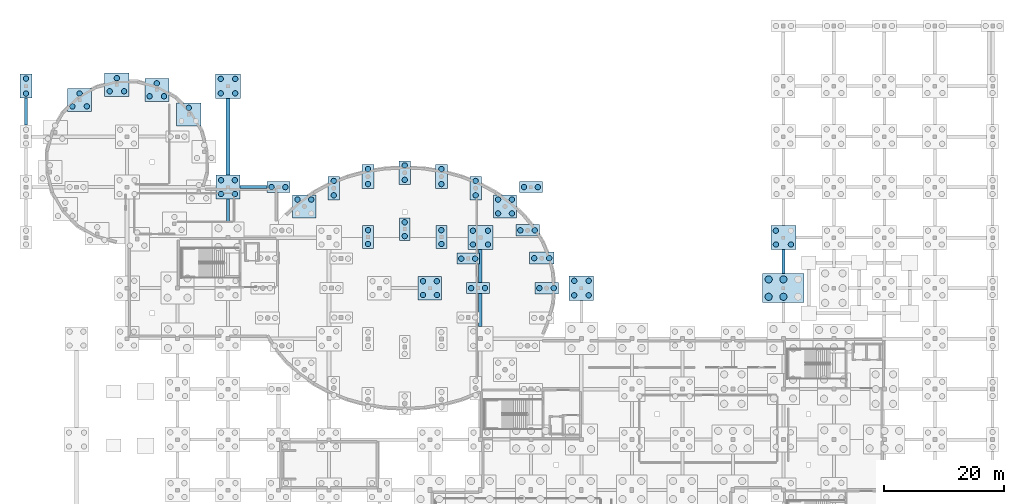
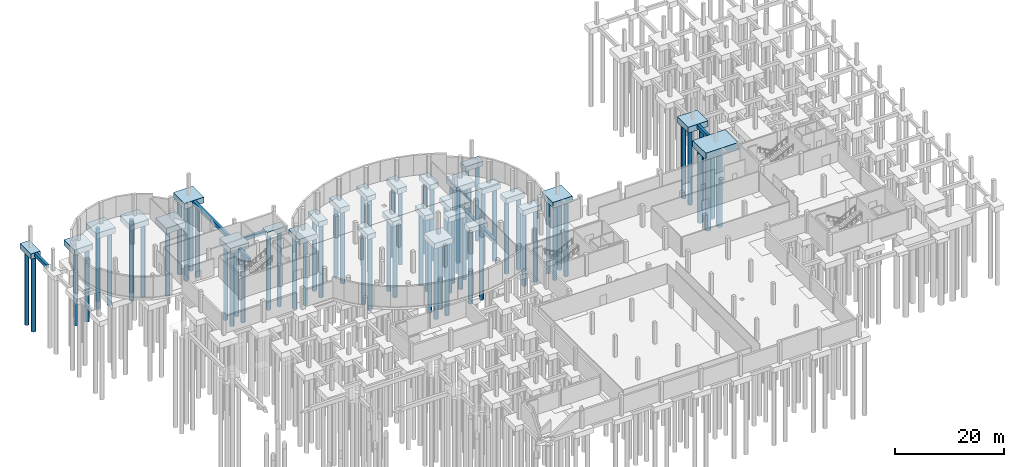
# One storey, part 8 of 24: 75 piles, 35 footings.
"""IFC4 building model written with IfcOpenShell, lengths in metres."""

from ifc_helpers import new_model, si_unit, derived_unit, direction, frame, origin, origin_2d, place, context, subcontext, project, spatial, rectangle, circle, extrude, material, layer, layer_set, material_profile, profile_set, type_object, element, save


model = new_model("IFC4")

# Units and contexts
model_context = context("Model", 3, precision=1e-05, world=origin(), true_north=direction((0.0, 1.0)))
body_context = subcontext(model_context, "Body", "Model", "MODEL_VIEW")
ifc_project = project(units=[si_unit("LENGTHUNIT", "METRE"), si_unit("AREAUNIT", "SQUARE_METRE"), si_unit("VOLUMEUNIT", "CUBIC_METRE"), si_unit("PLANEANGLEUNIT", "RADIAN"), si_unit("MASSUNIT", "GRAM", prefix="KILO"), derived_unit("THERMALTRANSMITTANCEUNIT", [(si_unit("POWERUNIT", "WATT"), 1), (si_unit("LENGTHUNIT", "METRE"), -2), (si_unit("THERMODYNAMICTEMPERATUREUNIT", "KELVIN"), -1)])], contexts=[model_context])

# Site, building, storey
site_placement = place(None, origin())
site = spatial("IfcSite", under=ifc_project, at=site_placement, CompositionType="ELEMENT")
building_placement = place(site_placement, origin())
building = spatial("IfcBuilding", under=site, at=building_placement, Name="Elbkamm Science Centre", CompositionType="ELEMENT")
storey_placement = place(building_placement, frame((0.0, 0.0, -4.800048828125)))
storey = spatial("IfcBuildingStorey", under=building, at=storey_placement, Name="B01", CompositionType="ELEMENT", Elevation=-4.800048828125)

# Footings
ifc_material = material(Name="Concrete C35/45", Category="concrete")
footing_type_1 = type_object("IfcFootingType", Name="FTG-TIE-500x800", PredefinedType="FOOTING_BEAM", material=ifc_material)
footing_1_placement = place(storey_placement, frame((37.85009765625, 84.0, -0.7998046875), z_axis=(0.0, 0.0, 1.0), x_axis=(1.0, 0.0, 0.0)))
element("IfcFooting", 1, at=footing_1_placement, inside=storey, type_object=footing_type_1, Name="Substructure Ground Tie Beam X-105", PredefinedType="FOOTING_BEAM", context=body_context, shape_type="SweptSolid", body=[
    extrude(rectangle(XDim=4.5, YDim=0.5, at=origin_2d()), origin(), (0.0, 0.0, 1.0), 0.800048828125),
])
footing_2_placement = place(storey_placement, frame((0.0, 96.550048828125, -0.7998046875), z_axis=(0.0, 0.0, 1.0), x_axis=(1.0, 0.0, 0.0)))
element("IfcFooting", 2, at=footing_2_placement, inside=storey, type_object=footing_type_1, Name="Substructure Ground Tie Beam Y-126", PredefinedType="FOOTING_BEAM", context=body_context, shape_type="SweptSolid", body=[
    extrude(rectangle(XDim=0.5, YDim=4.5, at=origin_2d()), origin(), (0.0, 0.0, 1.0), 0.800048828125),
])
footing_3_placement = place(storey_placement, frame((33.60009765625, 80.10009765625, -1.2998046875), z_axis=(0.0, 0.0, 1.0), x_axis=(1.0, 0.0, 0.0)))
element("IfcFooting", 3, at=footing_3_placement, inside=storey, type_object=footing_type_1, Name="Substructure Ground Tie Beam Y-145", PredefinedType="FOOTING_BEAM", context=body_context, shape_type="SweptSolid", body=[
    extrude(rectangle(XDim=0.5, YDim=3.800048828125, at=origin_2d()), origin(), (0.0, 0.0, 1.0), 0.800048828125),
])
footing_4_placement = place(storey_placement, frame((126.0, 71.60009765625, -0.7998046875), z_axis=(0.0, 0.0, 1.0), x_axis=(1.0, 0.0, 0.0)))
element("IfcFooting", 4, at=footing_4_placement, inside=storey, type_object=footing_type_1, Name="Substructure Ground Tie Beam Y-211", PredefinedType="FOOTING_BEAM", context=body_context, shape_type="SweptSolid", body=[
    extrude(rectangle(XDim=0.5, YDim=4.0, at=origin_2d()), origin(), (0.0, 0.0, 1.0), 0.800048828125),
])
footing_type_2 = type_object("IfcFootingType", Name="FTG-TIE-600x900", PredefinedType="FOOTING_BEAM", material=ifc_material)
for number, where, z_axis, x_axis, name in (
    (5, (33.60009765625, 92.375, -0.89990234375), (0.0, 0.0, 1.0), (1.0, 0.0, 0.0), "Substructure Ground Tie Beam Y-146"),
    (6, (75.60009765625, 67.22509765625, -1.39990234375), (0.0, 0.0, 1.0), (1.0, 0.0, 0.0), "Substructure Ground Tie Beam Y-172"),
):
    element("IfcFooting", number, at=place(storey_placement, frame(where, z_axis=z_axis, x_axis=x_axis)), inside=storey, type_object=footing_type_2, Name=name, PredefinedType="FOOTING_BEAM", context=body_context, shape_type="SweptSolid", body=[
        extrude(rectangle(XDim=0.60009765625, YDim=12.75, at=origin_2d()), origin(), (0.0, 0.0, 1.0), 0.89990234375),
    ])
ifc_layer_1 = layer(ifc_material, 1.10009765625)
ifc_layer_set_1 = layer_set([ifc_layer_1], Name="Concrete C35/45")
footing_type_3 = type_object("IfcFootingType", Name="PC-2P-180x380x110", PredefinedType="PILE_CAP", material=ifc_layer_set_1)
for number, where, z_axis, x_axis, name in (
    (7, (69.10009765625, 75.68701171875, -1.60009765625), (0.0, 0.0, 1.0), (1.0, 0.0, 0.0), "Pile Cap SH-IN-03"),
    (8, (63.0, 77.0, -1.60009765625), (0.0, 0.0, 1.0), (1.0, 0.0, 0.0), "Pile Cap SH-IN-04"),
    (9, (56.89990234375, 75.68701171875, -1.60009765625), (0.0, 0.0, 1.0), (1.0, 0.0, 0.0), "Pile Cap SH-IN-05"),
):
    element("IfcFooting", number, at=place(storey_placement, frame(where, z_axis=z_axis, x_axis=x_axis)), inside=storey, type_object=footing_type_3, Name=name, PredefinedType="PILE_CAP", context=body_context, shape_type="SweptSolid", body=[
        extrude(rectangle(XDim=1.800048828125, YDim=3.800048828125, at=origin_2d()), origin(), (0.0, 0.0, 1.0), 1.10009765625),
    ])
ifc_layer_2 = layer(ifc_material, 1.14990234375)
ifc_layer_set_2 = layer_set([ifc_layer_2], Name="Concrete C35/45")
footing_type_4 = type_object("IfcFootingType", Name="PC-2P-190x390x115", PredefinedType="PILE_CAP", material=ifc_layer_set_2)
for number, where, z_axis, x_axis, name in (
    (10, (74.800048828125, 83.827880859375, -1.64990234375), (0.0, 0.0, 1.0), (1.0, 0.0, 0.0), "Pile Cap SH-OUT-05"),
    (11, (63.0, 86.39990234375, -1.64990234375), (0.0, 0.0, 1.0), (1.0, 0.0, 0.0), "Pile Cap SH-OUT-07"),
    (12, (51.199951171875, 83.827880859375, -1.64990234375), (0.0, 0.0, 1.0), (1.0, 0.0, 0.0), "Pile Cap SH-OUT-09"),
):
    element("IfcFooting", number, at=place(storey_placement, frame(where, z_axis=z_axis, x_axis=x_axis)), inside=storey, type_object=footing_type_4, Name=name, PredefinedType="PILE_CAP", context=body_context, shape_type="SweptSolid", body=[
        extrude(rectangle(XDim=1.89990234375, YDim=3.89990234375, at=origin_2d()), origin(), (0.0, 0.0, 1.0), 1.14990234375),
    ])
ifc_layer_3 = layer(ifc_material, 1.199951171875)
ifc_layer_set_3 = layer_set([ifc_layer_3], Name="Concrete C35/45")
footing_type_5 = type_object("IfcFootingType", Name="PC-2P-200x400x120", PredefinedType="PILE_CAP", material=ifc_layer_set_3)
for number, where, z_axis, x_axis, name in (
    (13, (69.10791015625, 85.74609375, -1.69970703125), (0.0, 0.0, 1.0), (1.0, 0.0, 0.0), "Pile Cap SH-OUT-06"),
    (14, (56.89208984375, 85.74609375, -1.69970703125), (0.0, 0.0, 1.0), (1.0, 0.0, 0.0), "Pile Cap SH-OUT-08"),
    (15, (0.0, 100.800048828125, -1.19970703125), (0.0, 0.0, 1.0), (1.0, 0.0, 0.0), "Pile Cap GRID-1-N"),
):
    element("IfcFooting", number, at=place(storey_placement, frame(where, z_axis=z_axis, x_axis=x_axis)), inside=storey, type_object=footing_type_5, Name=name, PredefinedType="PILE_CAP", context=body_context, shape_type="SweptSolid", body=[
        extrude(rectangle(XDim=2.0, YDim=4.0, at=origin_2d()), origin(), (0.0, 0.0, 1.0), 1.199951171875),
    ])
ifc_layer_4 = layer(ifc_material, 1.10009765625)
ifc_layer_set_4 = layer_set([ifc_layer_4], Name="Concrete C35/45")
footing_type_6 = type_object("IfcFootingType", Name="PC-2P-380x180x110", PredefinedType="PILE_CAP", material=ifc_layer_set_4)
for number, where, z_axis, x_axis, name in (
    (16, (75.199951171875, 67.199951171875, -1.60009765625), (0.0, 0.0, 1.0), (1.0, 0.0, 0.0), "Pile Cap SH-IN-01"),
    (17, (73.56591796875, 72.10009765625, -1.60009765625), (0.0, 0.0, 1.0), (1.0, 0.0, 0.0), "Pile Cap SH-IN-02"),
    (18, (42.0, 84.0, -1.10009765625), (0.0, 0.0, 1.0), (1.0, 0.0, 0.0), "Pile Cap GRID-6-L"),
    (19, (84.0, 84.0, -1.10009765625), (0.0, 0.0, 1.0), (1.0, 0.0, 0.0), "Pile Cap GRID-11-L"),
):
    element("IfcFooting", number, at=place(storey_placement, frame(where, z_axis=z_axis, x_axis=x_axis)), inside=storey, type_object=footing_type_6, Name=name, PredefinedType="PILE_CAP", context=body_context, shape_type="SweptSolid", body=[
        extrude(rectangle(XDim=3.800048828125, YDim=1.800048828125, at=origin_2d()), origin(), (0.0, 0.0, 1.0), 1.10009765625),
    ])
ifc_layer_5 = layer(ifc_material, 1.14990234375)
ifc_layer_set_5 = layer_set([ifc_layer_5], Name="Concrete C35/45")
footing_type_7 = type_object("IfcFootingType", Name="PC-2P-390x190x115", PredefinedType="PILE_CAP", material=ifc_layer_set_5)
for number, where, z_axis, x_axis, name in (
    (20, (86.60009765625, 67.199951171875, -1.64990234375), (0.0, 0.0, 1.0), (1.0, 0.0, 0.0), "Pile Cap SH-OUT-01"),
    (21, (83.43798828125, 76.800048828125, -1.64990234375), (0.0, 0.0, 1.0), (1.0, 0.0, 0.0), "Pile Cap SH-OUT-03"),
):
    element("IfcFooting", number, at=place(storey_placement, frame(where, z_axis=z_axis, x_axis=x_axis)), inside=storey, type_object=footing_type_7, Name=name, PredefinedType="PILE_CAP", context=body_context, shape_type="SweptSolid", body=[
        extrude(rectangle(XDim=3.89990234375, YDim=1.89990234375, at=origin_2d()), origin(), (0.0, 0.0, 1.0), 1.14990234375),
    ])
ifc_layer_6 = layer(ifc_material, 1.199951171875)
ifc_layer_set_6 = layer_set([ifc_layer_6], Name="Concrete C35/45")
footing_type_8 = type_object("IfcFootingType", Name="PC-2P-400x200x120", PredefinedType="PILE_CAP", material=ifc_layer_set_6)
footing_5_placement = place(storey_placement, frame((85.7958984375, 72.1689453125, -1.69970703125), z_axis=(0.0, 0.0, 1.0), x_axis=(1.0, 0.0, 0.0)))
element("IfcFooting", 22, at=footing_5_placement, inside=storey, type_object=footing_type_8, Name="Pile Cap SH-OUT-02", PredefinedType="PILE_CAP", context=body_context, shape_type="SweptSolid", body=[
    extrude(rectangle(XDim=4.0, YDim=2.0, at=origin_2d()), origin(), (0.0, 0.0, 1.0), 1.199951171875),
])
ifc_layer_7 = layer(ifc_material, 1.25)
ifc_layer_set_7 = layer_set([ifc_layer_7], Name="Concrete C35/45")
footing_type_9 = type_object("IfcFootingType", Name="PC-3P-400x380x125", PredefinedType="PILE_CAP", material=ifc_layer_set_7)
for number, where, z_axis, x_axis, name in (
    (23, (21.756103515625, 100.1640625, -1.75), (0.0, 0.0, 1.0), (1.0, 0.0, 0.0), "Pile Cap DRUM-03"),
    (24, (8.9169921875, 98.47412109375, -1.75), (0.0, 0.0, 1.0), (1.0, 0.0, 0.0), "Pile Cap DRUM-05"),
):
    element("IfcFooting", number, at=place(storey_placement, frame(where, z_axis=z_axis, x_axis=x_axis)), inside=storey, type_object=footing_type_9, Name=name, PredefinedType="PILE_CAP", context=body_context, shape_type="SweptSolid", body=[
        extrude(rectangle(XDim=4.0, YDim=3.800048828125, at=origin_2d()), origin(), (0.0, 0.0, 1.0), 1.25),
    ])
ifc_layer_8 = layer(ifc_material, 1.300048828125)
ifc_layer_set_8 = layer_set([ifc_layer_8], Name="Concrete C35/45")
footing_type_10 = type_object("IfcFootingType", Name="PC-3P-410x390x130", PredefinedType="PILE_CAP", material=ifc_layer_set_8)
for number, where, z_axis, x_axis, name in (
    (25, (27.073974609375, 96.0830078125, -1.7998046875), (0.0, 0.0, 1.0), (1.0, 0.0, 0.0), "Pile Cap DRUM-02"),
    (26, (15.110107421875, 101.0390625, -1.7998046875), (0.0, 0.0, 1.0), (1.0, 0.0, 0.0), "Pile Cap DRUM-04"),
):
    element("IfcFooting", number, at=place(storey_placement, frame(where, z_axis=z_axis, x_axis=x_axis)), inside=storey, type_object=footing_type_10, Name=name, PredefinedType="PILE_CAP", context=body_context, shape_type="SweptSolid", body=[
        extrude(rectangle(XDim=4.10009765625, YDim=3.89990234375, at=origin_2d()), origin(), (0.0, 0.0, 1.0), 1.300048828125),
    ])
ifc_layer_9 = layer(ifc_material, 1.199951171875)
ifc_layer_set_9 = layer_set([ifc_layer_9], Name="Concrete C35/45")
footing_type_11 = type_object("IfcFootingType", Name="PC-4P-390x390x120", PredefinedType="PILE_CAP", material=ifc_layer_set_9)
for number, where, z_axis, x_axis, name in (
    (27, (79.68798828125, 80.77587890625, -1.69970703125), (0.0, 0.0, 1.0), (1.0, 0.0, 0.0), "Pile Cap SH-OUT-04"),
    (28, (46.31201171875, 80.77587890625, -1.69970703125), (0.0, 0.0, 1.0), (1.0, 0.0, 0.0), "Pile Cap SH-OUT-10"),
    (29, (67.199951171875, 67.199951171875, -1.69970703125), (0.0, 0.0, 1.0), (1.0, 0.0, 0.0), "Pile Cap GRID-9-J"),
):
    element("IfcFooting", number, at=place(storey_placement, frame(where, z_axis=z_axis, x_axis=x_axis)), inside=storey, type_object=footing_type_11, Name=name, PredefinedType="PILE_CAP", context=body_context, shape_type="SweptSolid", body=[
        extrude(rectangle(XDim=3.89990234375, YDim=3.89990234375, at=origin_2d()), origin(), (0.0, 0.0, 1.0), 1.199951171875),
    ])
ifc_layer_10 = layer(ifc_material, 1.25)
ifc_layer_set_10 = layer_set([ifc_layer_10], Name="Concrete C35/45")
footing_type_12 = type_object("IfcFootingType", Name="PC-4P-400x400x125", PredefinedType="PILE_CAP", material=ifc_layer_set_10)
footing_6_placement = place(storey_placement, frame((33.60009765625, 84.0, -1.25), z_axis=(0.0, 0.0, 1.0), x_axis=(1.0, 0.0, 0.0)))
element("IfcFooting", 30, at=footing_6_placement, inside=storey, type_object=footing_type_12, Name="Pile Cap GRID-5-L", PredefinedType="PILE_CAP", context=body_context, shape_type="SweptSolid", body=[
    extrude(rectangle(XDim=4.0, YDim=4.0, at=origin_2d()), origin(), (0.0, 0.0, 1.0), 1.25),
])
ifc_layer_11 = layer(ifc_material, 1.300048828125)
ifc_layer_set_11 = layer_set([ifc_layer_11], Name="Concrete C35/45")
footing_type_13 = type_object("IfcFootingType", Name="PC-4P-410x410x130", PredefinedType="PILE_CAP", material=ifc_layer_set_11)
for number, where, z_axis, x_axis, name in (
    (31, (33.60009765625, 100.800048828125, -1.2998046875), (0.0, 0.0, 1.0), (1.0, 0.0, 0.0), "Pile Cap GRID-5-N"),
    (32, (92.39990234375, 67.199951171875, -1.2998046875), (0.0, 0.0, 1.0), (1.0, 0.0, 0.0), "Pile Cap GRID-12-J"),
):
    element("IfcFooting", number, at=place(storey_placement, frame(where, z_axis=z_axis, x_axis=x_axis)), inside=storey, type_object=footing_type_13, Name=name, PredefinedType="PILE_CAP", context=body_context, shape_type="SweptSolid", body=[
        extrude(rectangle(XDim=4.10009765625, YDim=4.10009765625, at=origin_2d()), origin(), (0.0, 0.0, 1.0), 1.300048828125),
    ])
ifc_layer_12 = layer(ifc_material, 1.300048828125)
ifc_layer_set_12 = layer_set([ifc_layer_12], Name="Concrete C35/45")
footing_type_14 = type_object("IfcFootingType", Name="PC-4P-420x400x130", PredefinedType="PILE_CAP", material=ifc_layer_set_12)
for number, where, z_axis, x_axis, name in (
    (33, (75.60009765625, 75.60009765625, -1.7998046875), (0.0, 0.0, 1.0), (1.0, 0.0, 0.0), "Pile Cap GRID-10-K"),
    (34, (126.0, 75.60009765625, -1.2998046875), (0.0, 0.0, 1.0), (1.0, 0.0, 0.0), "Pile Cap GRID-16-K"),
):
    element("IfcFooting", number, at=place(storey_placement, frame(where, z_axis=z_axis, x_axis=x_axis)), inside=storey, type_object=footing_type_14, Name=name, PredefinedType="PILE_CAP", context=body_context, shape_type="SweptSolid", body=[
        extrude(rectangle(XDim=4.199951171875, YDim=4.0, at=origin_2d()), origin(), (0.0, 0.0, 1.0), 1.300048828125),
    ])
ifc_layer_13 = layer(ifc_material, 1.550048828125)
ifc_layer_set_13 = layer_set([ifc_layer_13], Name="Concrete C35/45")
footing_type_15 = type_object("IfcFootingType", Name="PC-6P-690x480x155", PredefinedType="PILE_CAP", material=ifc_layer_set_13)
footing_7_placement = place(storey_placement, frame((126.0, 67.199951171875, -1.5498046875), z_axis=(0.0, 0.0, 1.0), x_axis=(1.0, 0.0, 0.0)))
element("IfcFooting", 35, at=footing_7_placement, inside=storey, type_object=footing_type_15, Name="Pile Cap GRID-16-J", PredefinedType="PILE_CAP", context=body_context, shape_type="SweptSolid", body=[
    extrude(rectangle(XDim=6.89990234375, YDim=4.800048828125, at=origin_2d()), origin(), (0.0, 0.0, 1.0), 1.550048828125),
])

# Piles
ifc_material_profile_1 = material_profile(ifc_material, circle(Radius=0.60009765625, at=origin_2d()), Name="PILE D1200")
ifc_profile_set_1 = profile_set([ifc_material_profile_1], Name="Concrete C35/45")
pile_type_1 = type_object("IfcPileType", Name="PILE-BORED-1200", PredefinedType="BORED", material=ifc_profile_set_1)
for number, where, z_axis, x_axis, name in (
    (36, (123.550048828125, 65.75, -1.449951171875), (0.0, 0.0, -1.0), (1.0, 0.0, 0.0), "Bored Pile GRID-16-J-1"),
    (37, (126.0, 65.75, -1.449951171875), (0.0, 0.0, -1.0), (1.0, 0.0, 0.0), "Bored Pile GRID-16-J-2"),
    (38, (123.550048828125, 68.64990234375, -1.449951171875), (0.0, 0.0, -1.0), (1.0, 0.0, 0.0), "Bored Pile GRID-16-J-4"),
    (39, (126.0, 68.64990234375, -1.449951171875), (0.0, 0.0, -1.0), (1.0, 0.0, 0.0), "Bored Pile GRID-16-J-5"),
):
    element("IfcPile", number, at=place(storey_placement, frame(where, z_axis=z_axis, x_axis=x_axis)), inside=storey, type_object=pile_type_1, Name=name, PredefinedType="BORED", context=body_context, shape_type="SweptSolid", body=[
        extrude(circle(Radius=0.60009765625, at=origin_2d()), origin(), (0.0, 0.0, 1.0), 16.550048828125),
    ])
ifc_material_profile_2 = material_profile(ifc_material, circle(Radius=0.449951171875, at=origin_2d()), Name="PILE D900")
ifc_profile_set_2 = profile_set([ifc_material_profile_2], Name="Concrete C35/45")
pile_type_2 = type_object("IfcPileType", Name="PILE-BORED-900", PredefinedType="BORED", material=ifc_profile_set_2)
for number, where, z_axis, x_axis, name in (
    (40, (85.39990234375, 67.199951171875, -1.550048828125), (0.0, 0.0, -1.0), (1.0, 0.0, 0.0), "Bored Pile SH-OUT-01-1"),
    (41, (87.800048828125, 67.199951171875, -1.550048828125), (0.0, 0.0, -1.0), (1.0, 0.0, 0.0), "Bored Pile SH-OUT-01-2"),
):
    element("IfcPile", number, at=place(storey_placement, frame(where, z_axis=z_axis, x_axis=x_axis)), inside=storey, type_object=pile_type_2, Name=name, PredefinedType="BORED", context=body_context, shape_type="SweptSolid", body=[
        extrude(circle(Radius=0.449951171875, at=origin_2d()), origin(), (0.0, 0.0, 1.0), 16.449951171875),
    ])
for number, where, z_axis, x_axis, name in (
    (42, (84.5458984375, 72.1689453125, -1.599853515625), (0.0, 0.0, -1.0), (1.0, 0.0, 0.0), "Bored Pile SH-OUT-02-1"),
    (43, (87.0458984375, 72.1689453125, -1.599853515625), (0.0, 0.0, -1.0), (1.0, 0.0, 0.0), "Bored Pile SH-OUT-02-2"),
):
    element("IfcPile", number, at=place(storey_placement, frame(where, z_axis=z_axis, x_axis=x_axis)), inside=storey, type_object=pile_type_2, Name=name, PredefinedType="BORED", context=body_context, shape_type="SweptSolid", body=[
        extrude(circle(Radius=0.449951171875, at=origin_2d()), origin(), (0.0, 0.0, 1.0), 16.39990234375),
    ])
for number, where, z_axis, x_axis, name in (
    (44, (82.238037109375, 76.800048828125, -1.550048828125), (0.0, 0.0, -1.0), (1.0, 0.0, 0.0), "Bored Pile SH-OUT-03-1"),
    (45, (84.637939453125, 76.800048828125, -1.550048828125), (0.0, 0.0, -1.0), (1.0, 0.0, 0.0), "Bored Pile SH-OUT-03-2"),
):
    element("IfcPile", number, at=place(storey_placement, frame(where, z_axis=z_axis, x_axis=x_axis)), inside=storey, type_object=pile_type_2, Name=name, PredefinedType="BORED", context=body_context, shape_type="SweptSolid", body=[
        extrude(circle(Radius=0.449951171875, at=origin_2d()), origin(), (0.0, 0.0, 1.0), 16.449951171875),
    ])
for number, where, z_axis, x_axis, name in (
    (46, (78.5380859375, 79.6259765625, -1.599853515625), (0.0, 0.0, -1.0), (1.0, 0.0, 0.0), "Bored Pile SH-OUT-04-1"),
    (47, (80.837890625, 79.6259765625, -1.599853515625), (0.0, 0.0, -1.0), (1.0, 0.0, 0.0), "Bored Pile SH-OUT-04-2"),
    (48, (78.5380859375, 81.926025390625, -1.599853515625), (0.0, 0.0, -1.0), (1.0, 0.0, 0.0), "Bored Pile SH-OUT-04-3"),
    (49, (80.837890625, 81.926025390625, -1.599853515625), (0.0, 0.0, -1.0), (1.0, 0.0, 0.0), "Bored Pile SH-OUT-04-4"),
):
    element("IfcPile", number, at=place(storey_placement, frame(where, z_axis=z_axis, x_axis=x_axis)), inside=storey, type_object=pile_type_2, Name=name, PredefinedType="BORED", context=body_context, shape_type="SweptSolid", body=[
        extrude(circle(Radius=0.449951171875, at=origin_2d()), origin(), (0.0, 0.0, 1.0), 16.39990234375),
    ])
for number, where, z_axis, x_axis, name in (
    (50, (74.800048828125, 82.6279296875, -1.550048828125), (0.0, 0.0, -1.0), (1.0, 0.0, 0.0), "Bored Pile SH-OUT-05-1"),
    (51, (74.800048828125, 85.028076171875, -1.550048828125), (0.0, 0.0, -1.0), (1.0, 0.0, 0.0), "Bored Pile SH-OUT-05-2"),
):
    element("IfcPile", number, at=place(storey_placement, frame(where, z_axis=z_axis, x_axis=x_axis)), inside=storey, type_object=pile_type_2, Name=name, PredefinedType="BORED", context=body_context, shape_type="SweptSolid", body=[
        extrude(circle(Radius=0.449951171875, at=origin_2d()), origin(), (0.0, 0.0, 1.0), 16.449951171875),
    ])
for number, where, z_axis, x_axis, name in (
    (52, (69.10791015625, 84.49609375, -1.599853515625), (0.0, 0.0, -1.0), (1.0, 0.0, 0.0), "Bored Pile SH-OUT-06-1"),
    (53, (69.10791015625, 86.99609375, -1.599853515625), (0.0, 0.0, -1.0), (1.0, 0.0, 0.0), "Bored Pile SH-OUT-06-2"),
):
    element("IfcPile", number, at=place(storey_placement, frame(where, z_axis=z_axis, x_axis=x_axis)), inside=storey, type_object=pile_type_2, Name=name, PredefinedType="BORED", context=body_context, shape_type="SweptSolid", body=[
        extrude(circle(Radius=0.449951171875, at=origin_2d()), origin(), (0.0, 0.0, 1.0), 16.39990234375),
    ])
for number, where, z_axis, x_axis, name in (
    (54, (63.0, 85.199951171875, -1.550048828125), (0.0, 0.0, -1.0), (1.0, 0.0, 0.0), "Bored Pile SH-OUT-07-1"),
    (55, (63.0, 87.60009765625, -1.550048828125), (0.0, 0.0, -1.0), (1.0, 0.0, 0.0), "Bored Pile SH-OUT-07-2"),
):
    element("IfcPile", number, at=place(storey_placement, frame(where, z_axis=z_axis, x_axis=x_axis)), inside=storey, type_object=pile_type_2, Name=name, PredefinedType="BORED", context=body_context, shape_type="SweptSolid", body=[
        extrude(circle(Radius=0.449951171875, at=origin_2d()), origin(), (0.0, 0.0, 1.0), 16.449951171875),
    ])
for number, where, z_axis, x_axis, name in (
    (56, (56.89208984375, 84.49609375, -1.599853515625), (0.0, 0.0, -1.0), (1.0, 0.0, 0.0), "Bored Pile SH-OUT-08-1"),
    (57, (56.89208984375, 86.99609375, -1.599853515625), (0.0, 0.0, -1.0), (1.0, 0.0, 0.0), "Bored Pile SH-OUT-08-2"),
):
    element("IfcPile", number, at=place(storey_placement, frame(where, z_axis=z_axis, x_axis=x_axis)), inside=storey, type_object=pile_type_2, Name=name, PredefinedType="BORED", context=body_context, shape_type="SweptSolid", body=[
        extrude(circle(Radius=0.449951171875, at=origin_2d()), origin(), (0.0, 0.0, 1.0), 16.39990234375),
    ])
for number, where, z_axis, x_axis, name in (
    (58, (51.199951171875, 82.6279296875, -1.550048828125), (0.0, 0.0, -1.0), (1.0, 0.0, 0.0), "Bored Pile SH-OUT-09-1"),
    (59, (51.199951171875, 85.028076171875, -1.550048828125), (0.0, 0.0, -1.0), (1.0, 0.0, 0.0), "Bored Pile SH-OUT-09-2"),
):
    element("IfcPile", number, at=place(storey_placement, frame(where, z_axis=z_axis, x_axis=x_axis)), inside=storey, type_object=pile_type_2, Name=name, PredefinedType="BORED", context=body_context, shape_type="SweptSolid", body=[
        extrude(circle(Radius=0.449951171875, at=origin_2d()), origin(), (0.0, 0.0, 1.0), 16.449951171875),
    ])
for number, where, z_axis, x_axis, name in (
    (60, (45.162109375, 81.926025390625, -1.599853515625), (0.0, 0.0, -1.0), (1.0, 0.0, 0.0), "Bored Pile SH-OUT-10-3"),
    (61, (47.4619140625, 81.926025390625, -1.599853515625), (0.0, 0.0, -1.0), (1.0, 0.0, 0.0), "Bored Pile SH-OUT-10-4"),
):
    element("IfcPile", number, at=place(storey_placement, frame(where, z_axis=z_axis, x_axis=x_axis)), inside=storey, type_object=pile_type_2, Name=name, PredefinedType="BORED", context=body_context, shape_type="SweptSolid", body=[
        extrude(circle(Radius=0.449951171875, at=origin_2d()), origin(), (0.0, 0.0, 1.0), 16.39990234375),
    ])
for number, where, z_axis, x_axis, name in (
    (62, (74.050048828125, 67.199951171875, -1.5), (0.0, 0.0, -1.0), (1.0, 0.0, 0.0), "Bored Pile SH-IN-01-1"),
    (63, (76.35009765625, 67.199951171875, -1.5), (0.0, 0.0, -1.0), (1.0, 0.0, 0.0), "Bored Pile SH-IN-01-2"),
    (64, (72.416015625, 72.10009765625, -1.5), (0.0, 0.0, -1.0), (1.0, 0.0, 0.0), "Bored Pile SH-IN-02-1"),
    (65, (74.716064453125, 72.10009765625, -1.5), (0.0, 0.0, -1.0), (1.0, 0.0, 0.0), "Bored Pile SH-IN-02-2"),
    (66, (69.10009765625, 74.537109375, -1.5), (0.0, 0.0, -1.0), (1.0, 0.0, 0.0), "Bored Pile SH-IN-03-1"),
    (67, (69.10009765625, 76.8369140625, -1.5), (0.0, 0.0, -1.0), (1.0, 0.0, 0.0), "Bored Pile SH-IN-03-2"),
    (68, (63.0, 75.85009765625, -1.5), (0.0, 0.0, -1.0), (1.0, 0.0, 0.0), "Bored Pile SH-IN-04-1"),
    (69, (63.0, 78.14990234375, -1.5), (0.0, 0.0, -1.0), (1.0, 0.0, 0.0), "Bored Pile SH-IN-04-2"),
    (70, (56.89990234375, 74.537109375, -1.5), (0.0, 0.0, -1.0), (1.0, 0.0, 0.0), "Bored Pile SH-IN-05-1"),
    (71, (56.89990234375, 76.8369140625, -1.5), (0.0, 0.0, -1.0), (1.0, 0.0, 0.0), "Bored Pile SH-IN-05-2"),
):
    element("IfcPile", number, at=place(storey_placement, frame(where, z_axis=z_axis, x_axis=x_axis)), inside=storey, type_object=pile_type_2, Name=name, PredefinedType="BORED", context=body_context, shape_type="SweptSolid", body=[
        extrude(circle(Radius=0.449951171875, at=origin_2d()), origin(), (0.0, 0.0, 1.0), 16.5),
    ])
pile_placement = place(storey_placement, frame((27.073974609375, 97.18310546875, -1.699951171875), z_axis=(0.0, 0.0, -1.0), x_axis=(1.0, 0.0, 0.0)))
element("IfcPile", 72, at=pile_placement, inside=storey, type_object=pile_type_2, Name="Bored Pile DRUM-02-3", PredefinedType="BORED", context=body_context, shape_type="SweptSolid", body=[
    extrude(circle(Radius=0.449951171875, at=origin_2d()), origin(), (0.0, 0.0, 1.0), 16.300048828125),
])
for number, where, z_axis, x_axis, name in (
    (73, (20.555908203125, 99.114013671875, -1.64990234375), (0.0, 0.0, -1.0), (1.0, 0.0, 0.0), "Bored Pile DRUM-03-1"),
    (74, (22.9560546875, 99.114013671875, -1.64990234375), (0.0, 0.0, -1.0), (1.0, 0.0, 0.0), "Bored Pile DRUM-03-2"),
    (75, (21.756103515625, 101.263916015625, -1.64990234375), (0.0, 0.0, -1.0), (1.0, 0.0, 0.0), "Bored Pile DRUM-03-3"),
):
    element("IfcPile", number, at=place(storey_placement, frame(where, z_axis=z_axis, x_axis=x_axis)), inside=storey, type_object=pile_type_2, Name=name, PredefinedType="BORED", context=body_context, shape_type="SweptSolid", body=[
        extrude(circle(Radius=0.449951171875, at=origin_2d()), origin(), (0.0, 0.0, 1.0), 16.35009765625),
    ])
for number, where, z_axis, x_axis, name in (
    (76, (13.909912109375, 99.93896484375, -1.699951171875), (0.0, 0.0, -1.0), (1.0, 0.0, 0.0), "Bored Pile DRUM-04-1"),
    (77, (16.31005859375, 99.93896484375, -1.699951171875), (0.0, 0.0, -1.0), (1.0, 0.0, 0.0), "Bored Pile DRUM-04-2"),
    (78, (15.110107421875, 102.138916015625, -1.699951171875), (0.0, 0.0, -1.0), (1.0, 0.0, 0.0), "Bored Pile DRUM-04-3"),
):
    element("IfcPile", number, at=place(storey_placement, frame(where, z_axis=z_axis, x_axis=x_axis)), inside=storey, type_object=pile_type_2, Name=name, PredefinedType="BORED", context=body_context, shape_type="SweptSolid", body=[
        extrude(circle(Radius=0.449951171875, at=origin_2d()), origin(), (0.0, 0.0, 1.0), 16.300048828125),
    ])
for number, where, z_axis, x_axis, name in (
    (79, (7.717041015625, 97.424072265625, -1.64990234375), (0.0, 0.0, -1.0), (1.0, 0.0, 0.0), "Bored Pile DRUM-05-1"),
    (80, (10.116943359375, 97.424072265625, -1.64990234375), (0.0, 0.0, -1.0), (1.0, 0.0, 0.0), "Bored Pile DRUM-05-2"),
    (81, (8.9169921875, 99.573974609375, -1.64990234375), (0.0, 0.0, -1.0), (1.0, 0.0, 0.0), "Bored Pile DRUM-05-3"),
):
    element("IfcPile", number, at=place(storey_placement, frame(where, z_axis=z_axis, x_axis=x_axis)), inside=storey, type_object=pile_type_2, Name=name, PredefinedType="BORED", context=body_context, shape_type="SweptSolid", body=[
        extrude(circle(Radius=0.449951171875, at=origin_2d()), origin(), (0.0, 0.0, 1.0), 16.35009765625),
    ])
for number, where, z_axis, x_axis, name in (
    (82, (0.0, 99.550048828125, -1.099853515625), (0.0, 0.0, -1.0), (1.0, 0.0, 0.0), "Bored Pile GRID-1-N-1"),
    (83, (0.0, 102.050048828125, -1.099853515625), (0.0, 0.0, -1.0), (1.0, 0.0, 0.0), "Bored Pile GRID-1-N-2"),
):
    element("IfcPile", number, at=place(storey_placement, frame(where, z_axis=z_axis, x_axis=x_axis)), inside=storey, type_object=pile_type_2, Name=name, PredefinedType="BORED", context=body_context, shape_type="SweptSolid", body=[
        extrude(circle(Radius=0.449951171875, at=origin_2d()), origin(), (0.0, 0.0, 1.0), 16.89990234375),
    ])
for number, where, z_axis, x_axis, name in (
    (84, (32.449951171875, 82.85009765625, -1.14990234375), (0.0, 0.0, -1.0), (1.0, 0.0, 0.0), "Bored Pile GRID-5-L-1"),
    (85, (34.75, 82.85009765625, -1.14990234375), (0.0, 0.0, -1.0), (1.0, 0.0, 0.0), "Bored Pile GRID-5-L-2"),
    (86, (32.449951171875, 85.14990234375, -1.14990234375), (0.0, 0.0, -1.0), (1.0, 0.0, 0.0), "Bored Pile GRID-5-L-3"),
    (87, (34.75, 85.14990234375, -1.14990234375), (0.0, 0.0, -1.0), (1.0, 0.0, 0.0), "Bored Pile GRID-5-L-4"),
):
    element("IfcPile", number, at=place(storey_placement, frame(where, z_axis=z_axis, x_axis=x_axis)), inside=storey, type_object=pile_type_2, Name=name, PredefinedType="BORED", context=body_context, shape_type="SweptSolid", body=[
        extrude(circle(Radius=0.449951171875, at=origin_2d()), origin(), (0.0, 0.0, 1.0), 16.85009765625),
    ])
for number, where, z_axis, x_axis, name in (
    (88, (32.39990234375, 99.60009765625, -1.199951171875), (0.0, 0.0, -1.0), (1.0, 0.0, 0.0), "Bored Pile GRID-5-N-1"),
    (89, (34.800048828125, 99.60009765625, -1.199951171875), (0.0, 0.0, -1.0), (1.0, 0.0, 0.0), "Bored Pile GRID-5-N-2"),
    (90, (32.39990234375, 102.0, -1.199951171875), (0.0, 0.0, -1.0), (1.0, 0.0, 0.0), "Bored Pile GRID-5-N-3"),
    (91, (34.800048828125, 102.0, -1.199951171875), (0.0, 0.0, -1.0), (1.0, 0.0, 0.0), "Bored Pile GRID-5-N-4"),
):
    element("IfcPile", number, at=place(storey_placement, frame(where, z_axis=z_axis, x_axis=x_axis)), inside=storey, type_object=pile_type_2, Name=name, PredefinedType="BORED", context=body_context, shape_type="SweptSolid", body=[
        extrude(circle(Radius=0.449951171875, at=origin_2d()), origin(), (0.0, 0.0, 1.0), 16.800048828125),
    ])
for number, where, z_axis, x_axis, name in (
    (92, (40.85009765625, 84.0, -1.0), (0.0, 0.0, -1.0), (1.0, 0.0, 0.0), "Bored Pile GRID-6-L-1"),
    (93, (43.14990234375, 84.0, -1.0), (0.0, 0.0, -1.0), (1.0, 0.0, 0.0), "Bored Pile GRID-6-L-2"),
):
    element("IfcPile", number, at=place(storey_placement, frame(where, z_axis=z_axis, x_axis=x_axis)), inside=storey, type_object=pile_type_2, Name=name, PredefinedType="BORED", context=body_context, shape_type="SweptSolid", body=[
        extrude(circle(Radius=0.449951171875, at=origin_2d()), origin(), (0.0, 0.0, 1.0), 17.0),
    ])
for number, where, z_axis, x_axis, name in (
    (94, (66.050048828125, 66.050048828125, -1.599853515625), (0.0, 0.0, -1.0), (1.0, 0.0, 0.0), "Bored Pile GRID-9-J-1"),
    (95, (68.35009765625, 66.050048828125, -1.599853515625), (0.0, 0.0, -1.0), (1.0, 0.0, 0.0), "Bored Pile GRID-9-J-2"),
    (96, (66.050048828125, 68.35009765625, -1.599853515625), (0.0, 0.0, -1.0), (1.0, 0.0, 0.0), "Bored Pile GRID-9-J-3"),
    (97, (68.35009765625, 68.35009765625, -1.599853515625), (0.0, 0.0, -1.0), (1.0, 0.0, 0.0), "Bored Pile GRID-9-J-4"),
):
    element("IfcPile", number, at=place(storey_placement, frame(where, z_axis=z_axis, x_axis=x_axis)), inside=storey, type_object=pile_type_2, Name=name, PredefinedType="BORED", context=body_context, shape_type="SweptSolid", body=[
        extrude(circle(Radius=0.449951171875, at=origin_2d()), origin(), (0.0, 0.0, 1.0), 16.39990234375),
    ])
for number, where, z_axis, x_axis, name in (
    (98, (74.35009765625, 74.449951171875, -1.699951171875), (0.0, 0.0, -1.0), (1.0, 0.0, 0.0), "Bored Pile GRID-10-K-1"),
    (99, (76.85009765625, 74.449951171875, -1.699951171875), (0.0, 0.0, -1.0), (1.0, 0.0, 0.0), "Bored Pile GRID-10-K-2"),
    (100, (74.35009765625, 76.75, -1.699951171875), (0.0, 0.0, -1.0), (1.0, 0.0, 0.0), "Bored Pile GRID-10-K-3"),
    (101, (76.85009765625, 76.75, -1.699951171875), (0.0, 0.0, -1.0), (1.0, 0.0, 0.0), "Bored Pile GRID-10-K-4"),
):
    element("IfcPile", number, at=place(storey_placement, frame(where, z_axis=z_axis, x_axis=x_axis)), inside=storey, type_object=pile_type_2, Name=name, PredefinedType="BORED", context=body_context, shape_type="SweptSolid", body=[
        extrude(circle(Radius=0.449951171875, at=origin_2d()), origin(), (0.0, 0.0, 1.0), 16.300048828125),
    ])
for number, where, z_axis, x_axis, name in (
    (102, (82.85009765625, 84.0, -1.0), (0.0, 0.0, -1.0), (1.0, 0.0, 0.0), "Bored Pile GRID-11-L-1"),
    (103, (85.14990234375, 84.0, -1.0), (0.0, 0.0, -1.0), (1.0, 0.0, 0.0), "Bored Pile GRID-11-L-2"),
):
    element("IfcPile", number, at=place(storey_placement, frame(where, z_axis=z_axis, x_axis=x_axis)), inside=storey, type_object=pile_type_2, Name=name, PredefinedType="BORED", context=body_context, shape_type="SweptSolid", body=[
        extrude(circle(Radius=0.449951171875, at=origin_2d()), origin(), (0.0, 0.0, 1.0), 17.0),
    ])
for number, where, z_axis, x_axis, name in (
    (104, (91.199951171875, 66.0, -1.199951171875), (0.0, 0.0, -1.0), (1.0, 0.0, 0.0), "Bored Pile GRID-12-J-1"),
    (105, (93.60009765625, 66.0, -1.199951171875), (0.0, 0.0, -1.0), (1.0, 0.0, 0.0), "Bored Pile GRID-12-J-2"),
    (106, (91.199951171875, 68.39990234375, -1.199951171875), (0.0, 0.0, -1.0), (1.0, 0.0, 0.0), "Bored Pile GRID-12-J-3"),
    (107, (93.60009765625, 68.39990234375, -1.199951171875), (0.0, 0.0, -1.0), (1.0, 0.0, 0.0), "Bored Pile GRID-12-J-4"),
    (108, (124.75, 74.449951171875, -1.199951171875), (0.0, 0.0, -1.0), (1.0, 0.0, 0.0), "Bored Pile GRID-16-K-1"),
    (109, (127.25, 74.449951171875, -1.199951171875), (0.0, 0.0, -1.0), (1.0, 0.0, 0.0), "Bored Pile GRID-16-K-2"),
    (110, (124.75, 76.75, -1.199951171875), (0.0, 0.0, -1.0), (1.0, 0.0, 0.0), "Bored Pile GRID-16-K-3"),
):
    element("IfcPile", number, at=place(storey_placement, frame(where, z_axis=z_axis, x_axis=x_axis)), inside=storey, type_object=pile_type_2, Name=name, PredefinedType="BORED", context=body_context, shape_type="SweptSolid", body=[
        extrude(circle(Radius=0.449951171875, at=origin_2d()), origin(), (0.0, 0.0, 1.0), 16.800048828125),
    ])

save(model, "model.ifc")
